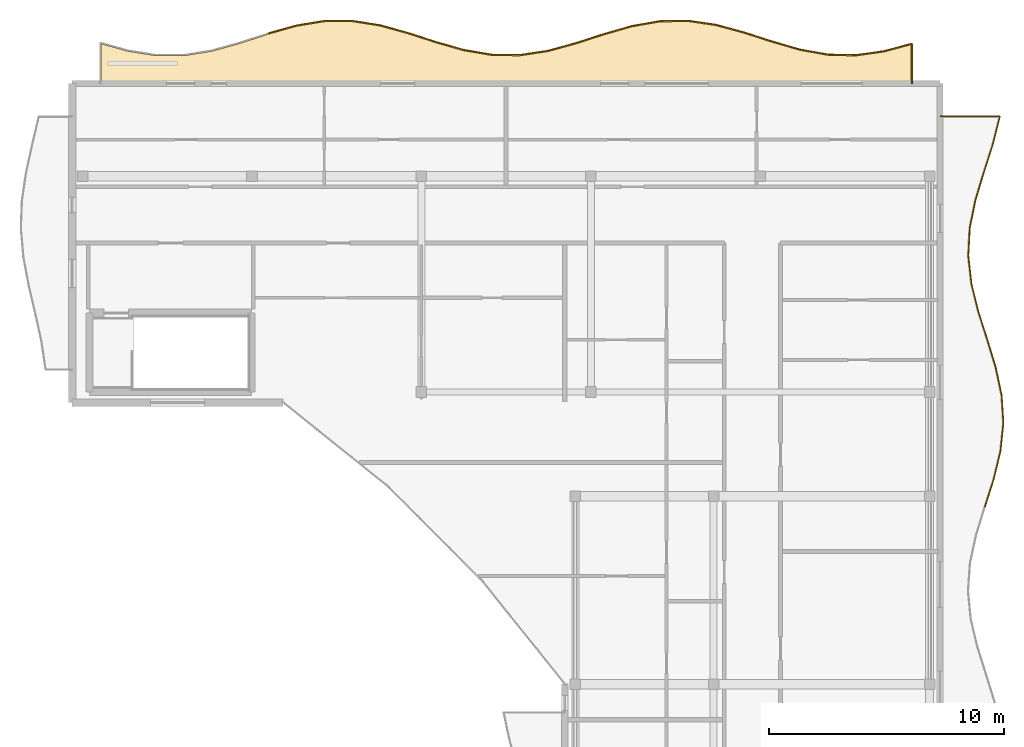
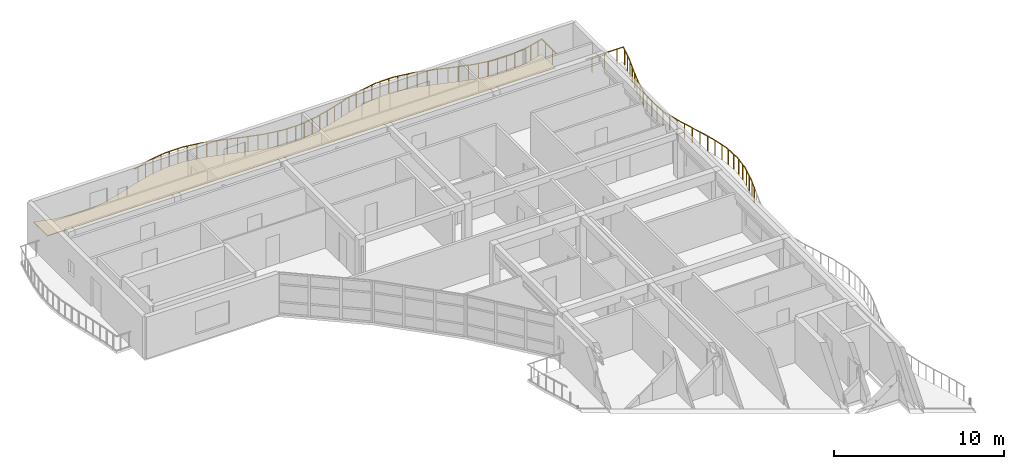
# One storey, part 14 of 14: 39 railings, 1 covering.
"""IFC4 building model written with IfcOpenShell, lengths in metres."""

from ifc_helpers import new_model, si_unit, direction, frame, origin, origin_2d, place, context, subcontext, project, spatial, polyline, circle, outline, extrude, material, layer, layer_set, type_object, element, save


model = new_model("IFC4")

# Units and contexts
model_context = context("Model", 3, precision=1e-05, world=origin(), true_north=direction((0.0, 1.0)))
body_context = subcontext(model_context, "Body", "Model", "MODEL_VIEW")
ifc_project = project(units=[si_unit("LENGTHUNIT", "METRE"), si_unit("AREAUNIT", "SQUARE_METRE"), si_unit("VOLUMEUNIT", "CUBIC_METRE"), si_unit("PLANEANGLEUNIT", "RADIAN"), si_unit("MASSUNIT", "GRAM", prefix="KILO")], contexts=[model_context])

# Site, building, storey
site_placement = place(None, origin())
site = spatial("IfcSite", under=ifc_project, at=site_placement, CompositionType="ELEMENT")
building_placement = place(site_placement, origin())
building = spatial("IfcBuilding", under=site, at=building_placement, Name="Keldmere Railside Commons", CompositionType="ELEMENT")
storey_placement = place(building_placement, frame((0.0, 0.0, 42.56005859375)))
storey = spatial("IfcBuildingStorey", under=building, at=storey_placement, Name="L13", CompositionType="ELEMENT", Elevation=42.56005859375)

# Railings
ifc_material_1 = material(Name="Steel F-24 (S235)", Category="steel")
railing_type = type_object("IfcRailingType", Name="Balcony & Terrace Steel Balustrade 1100", PredefinedType="BALUSTRADE", material=ifc_material_1)
railing_1_placement = place(storey_placement, frame((155.358642578125, 115.74072265625, 0.0)))
element("IfcRailing", 1, at=railing_1_placement, inside=storey, type_object=railing_type, Name="GR-1 GRD-L13-4659", PredefinedType="BALUSTRADE", context=body_context, shape_type="SweptSolid", body=[
    extrude(circle(Radius=0.02392578125, at=origin_2d()), frame((0.0, 0.0, 1.076171875), z_axis=(0.962623661614, 0.270842548541, 0.0), x_axis=(-0.270842548541, 0.962623661614, 0.0)), (0.0, 0.0, 1.0), 1.239501953125),
    extrude(circle(Radius=0.02099609375, at=origin_2d()), frame((0.29833984375, 0.083984375, 0.0)), (0.0, 0.0, 1.0), 1.048095703125),
    extrude(circle(Radius=0.02099609375, at=origin_2d()), frame((0.894775390625, 0.251708984375, 0.0)), (0.0, 0.0, 1.0), 1.048095703125),
])
railing_2_placement = place(storey_placement, frame((156.5517578125, 116.076416015625, 0.0)))
element("IfcRailing", 2, at=railing_2_placement, inside=storey, type_object=railing_type, Name="GR-1 GRD-L13-4660", PredefinedType="BALUSTRADE", context=body_context, shape_type="SweptSolid", body=[
    extrude(circle(Radius=0.02392578125, at=origin_2d()), frame((0.0, 0.0, 1.076171875), z_axis=(0.986800171093, 0.161942651364, 0.0), x_axis=(-0.161942651364, 0.986800171093, 0.0)), (0.0, 0.0, 1.0), 1.208984375),
    extrude(circle(Radius=0.02099609375, at=origin_2d()), frame((0.29833984375, 0.048828125, 0.0)), (0.0, 0.0, 1.0), 1.048095703125),
    extrude(circle(Radius=0.02099609375, at=origin_2d()), frame((0.894775390625, 0.14697265625, 0.0)), (0.0, 0.0, 1.0), 1.048095703125),
])
railing_3_placement = place(storey_placement, frame((157.744873046875, 116.272216796875, 0.0)))
element("IfcRailing", 3, at=railing_3_placement, inside=storey, type_object=railing_type, Name="GR-1 GRD-L13-4661", PredefinedType="BALUSTRADE", context=body_context, shape_type="SweptSolid", body=[
    extrude(circle(Radius=0.02392578125, at=origin_2d()), frame((0.0, 0.0, 1.076171875), z_axis=(0.999991625867, 0.004092456009, 0.0), x_axis=(-0.004092456009, 0.999991625867, 0.0)), (0.0, 0.0, 1.0), 1.193115234375),
    extrude(circle(Radius=0.02099609375, at=origin_2d()), frame((0.29833984375, 0.001220703125, 0.0)), (0.0, 0.0, 1.0), 1.048095703125),
    extrude(circle(Radius=0.02099609375, at=origin_2d()), frame((0.894775390625, 0.003662109375, 0.0)), (0.0, 0.0, 1.0), 1.048095703125),
])
railing_4_placement = place(storey_placement, frame((158.93798828125, 116.277099609375, 0.0)))
element("IfcRailing", 4, at=railing_4_placement, inside=storey, type_object=railing_type, Name="GR-1 GRD-L13-4662", PredefinedType="BALUSTRADE", context=body_context, shape_type="SweptSolid", body=[
    extrude(circle(Radius=0.02392578125, at=origin_2d()), frame((0.0, 0.0, 1.076171875), z_axis=(0.987813718795, -0.155640794654, 0.0), x_axis=(0.155640794654, 0.987813718795, 0.0)), (0.0, 0.0, 1.0), 1.207763671875),
    extrude(circle(Radius=0.02099609375, at=origin_2d()), frame((0.29833984375, -0.046875, 0.0)), (0.0, 0.0, 1.0), 1.048095703125),
    extrude(circle(Radius=0.02099609375, at=origin_2d()), frame((0.894775390625, -0.14111328125, 0.0)), (0.0, 0.0, 1.0), 1.048095703125),
])
railing_5_placement = place(storey_placement, frame((160.131103515625, 116.089111328125, 0.0)))
element("IfcRailing", 5, at=railing_5_placement, inside=storey, type_object=railing_type, Name="GR-1 GRD-L13-4663", PredefinedType="BALUSTRADE", context=body_context, shape_type="SweptSolid", body=[
    extrude(circle(Radius=0.02392578125, at=origin_2d()), frame((0.0, 0.0, 1.076171875), z_axis=(0.963644926184, -0.267186182726, 0.0), x_axis=(0.267186182726, 0.963644926184, 0.0)), (0.0, 0.0, 1.0), 1.238037109375),
    extrude(circle(Radius=0.02099609375, at=origin_2d()), frame((0.29833984375, -0.082763671875, 0.0)), (0.0, 0.0, 1.0), 1.048095703125),
    extrude(circle(Radius=0.02099609375, at=origin_2d()), frame((0.894775390625, -0.248046875, 0.0)), (0.0, 0.0, 1.0), 1.048095703125),
])
railing_6_placement = place(storey_placement, frame((161.32421875, 115.75830078125, 0.0)))
element("IfcRailing", 6, at=railing_6_placement, inside=storey, type_object=railing_type, Name="GR-1 GRD-L13-4664", PredefinedType="BALUSTRADE", context=body_context, shape_type="SweptSolid", body=[
    extrude(circle(Radius=0.02392578125, at=origin_2d()), frame((0.0, 0.0, 1.076171875), z_axis=(0.951431098789, -0.307861761602, 0.0), x_axis=(0.307861761602, 0.951431098789, 0.0)), (0.0, 0.0, 1.0), 1.253662109375),
    extrude(circle(Radius=0.02099609375, at=origin_2d()), frame((0.29833984375, -0.096435546875, 0.0)), (0.0, 0.0, 1.0), 1.048095703125),
    extrude(circle(Radius=0.02099609375, at=origin_2d()), frame((0.89453125, -0.28955078125, 0.0)), (0.0, 0.0, 1.0), 1.048095703125),
])
railing_7_placement = place(storey_placement, frame((162.51708984375, 115.372314453125, 0.0)))
element("IfcRailing", 7, at=railing_7_placement, inside=storey, type_object=railing_type, Name="GR-1 GRD-L13-4665", PredefinedType="BALUSTRADE", context=body_context, shape_type="SweptSolid", body=[
    extrude(circle(Radius=0.02392578125, at=origin_2d()), frame((0.0, 0.0, 1.076171875), z_axis=(0.96195358338, -0.273212926894, 0.0), x_axis=(0.273212926894, 0.96195358338, 0.0)), (0.0, 0.0, 1.0), 1.240234375),
    extrude(circle(Radius=0.02099609375, at=origin_2d()), frame((0.29833984375, -0.084716796875, 0.0)), (0.0, 0.0, 1.0), 1.048095703125),
    extrude(circle(Radius=0.02099609375, at=origin_2d()), frame((0.894775390625, -0.254150390625, 0.0)), (0.0, 0.0, 1.0), 1.048095703125),
])
railing_8_placement = place(storey_placement, frame((163.710205078125, 115.033447265625, 0.0)))
element("IfcRailing", 8, at=railing_8_placement, inside=storey, type_object=railing_type, Name="GR-1 GRD-L13-4666", PredefinedType="BALUSTRADE", context=body_context, shape_type="SweptSolid", body=[
    extrude(circle(Radius=0.02392578125, at=origin_2d()), frame((0.0, 0.0, 1.076171875), z_axis=(0.985948696805, -0.167048397985, 0.0), x_axis=(0.167048397985, 0.985948696805, 0.0)), (0.0, 0.0, 1.0), 1.210205078125),
    extrude(circle(Radius=0.02099609375, at=origin_2d()), frame((0.29833984375, -0.050537109375, 0.0)), (0.0, 0.0, 1.0), 1.048095703125),
    extrude(circle(Radius=0.02099609375, at=origin_2d()), frame((0.894775390625, -0.151611328125, 0.0)), (0.0, 0.0, 1.0), 1.048095703125),
])
railing_9_placement = place(storey_placement, frame((164.9033203125, 114.831298828125, 0.0)))
element("IfcRailing", 9, at=railing_9_placement, inside=storey, type_object=railing_type, Name="GR-1 GRD-L13-4667", PredefinedType="BALUSTRADE", context=body_context, shape_type="SweptSolid", body=[
    extrude(circle(Radius=0.02392578125, at=origin_2d()), frame((0.0, 0.0, 1.076171875), z_axis=(0.999953775395, -0.009614940148, 0.0), x_axis=(0.009614940148, 0.999953775395, 0.0)), (0.0, 0.0, 1.0), 1.193359375),
    extrude(circle(Radius=0.02099609375, at=origin_2d()), frame((0.29833984375, -0.0029296875, 0.0)), (0.0, 0.0, 1.0), 1.048095703125),
    extrude(circle(Radius=0.02099609375, at=origin_2d()), frame((0.89501953125, -0.008544921875, 0.0)), (0.0, 0.0, 1.0), 1.048095703125),
])
railing_10_placement = place(storey_placement, frame((166.0966796875, 114.81982421875, 0.0)))
element("IfcRailing", 10, at=railing_10_placement, inside=storey, type_object=railing_type, Name="GR-1 GRD-L13-4668", PredefinedType="BALUSTRADE", context=body_context, shape_type="SweptSolid", body=[
    extrude(circle(Radius=0.02392578125, at=origin_2d()), frame((0.0, 0.0, 1.076171875), z_axis=(0.988578905691, 0.150704171218, 0.0), x_axis=(-0.150704171218, 0.988578905691, 0.0)), (0.0, 0.0, 1.0), 1.206787109375),
    extrude(circle(Radius=0.02099609375, at=origin_2d()), frame((0.29833984375, 0.04541015625, 0.0)), (0.0, 0.0, 1.0), 1.048095703125),
    extrude(circle(Radius=0.02099609375, at=origin_2d()), frame((0.894775390625, 0.136474609375, 0.0)), (0.0, 0.0, 1.0), 1.048095703125),
])
railing_11_placement = place(storey_placement, frame((167.289794921875, 115.001708984375, 0.0)))
element("IfcRailing", 11, at=railing_11_placement, inside=storey, type_object=railing_type, Name="GR-1 GRD-L13-4669", PredefinedType="BALUSTRADE", context=body_context, shape_type="SweptSolid", body=[
    extrude(circle(Radius=0.02392578125, at=origin_2d()), frame((0.0, 0.0, 1.076171875), z_axis=(0.964453464, 0.264252749805, 0.0), x_axis=(-0.264252749805, 0.964453464, 0.0)), (0.0, 0.0, 1.0), 1.237060546875),
    extrude(circle(Radius=0.02099609375, at=origin_2d()), frame((0.29833984375, 0.081787109375, 0.0)), (0.0, 0.0, 1.0), 1.048095703125),
    extrude(circle(Radius=0.02099609375, at=origin_2d()), frame((0.894775390625, 0.2451171875, 0.0)), (0.0, 0.0, 1.0), 1.048095703125),
])
railing_12_placement = place(storey_placement, frame((168.48291015625, 115.32861328125, 0.0)))
element("IfcRailing", 12, at=railing_12_placement, inside=storey, type_object=railing_type, Name="GR-1 GRD-L13-4670", PredefinedType="BALUSTRADE", context=body_context, shape_type="SweptSolid", body=[
    extrude(circle(Radius=0.02392578125, at=origin_2d()), frame((0.0, 0.0, 1.076171875), z_axis=(0.951431098789, 0.307861761602, 0.0), x_axis=(-0.307861761602, 0.951431098789, 0.0)), (0.0, 0.0, 1.0), 1.253662109375),
    extrude(circle(Radius=0.02099609375, at=origin_2d()), frame((0.29833984375, 0.096435546875, 0.0)), (0.0, 0.0, 1.0), 1.048095703125),
    extrude(circle(Radius=0.02099609375, at=origin_2d()), frame((0.89453125, 0.28955078125, 0.0)), (0.0, 0.0, 1.0), 1.048095703125),
])
railing_13_placement = place(storey_placement, frame((169.67578125, 115.714599609375, 0.0)))
element("IfcRailing", 13, at=railing_13_placement, inside=storey, type_object=railing_type, Name="GR-1 GRD-L13-4671", PredefinedType="BALUSTRADE", context=body_context, shape_type="SweptSolid", body=[
    extrude(circle(Radius=0.02392578125, at=origin_2d()), frame((0.0, 0.0, 1.076171875), z_axis=(0.96127861681, 0.275578338889, 0.0), x_axis=(-0.275578338889, 0.96127861681, 0.0)), (0.0, 0.0, 1.0), 1.2412109375),
    extrude(circle(Radius=0.02099609375, at=origin_2d()), frame((0.29833984375, 0.08544921875, 0.0)), (0.0, 0.0, 1.0), 1.048095703125),
    extrude(circle(Radius=0.02099609375, at=origin_2d()), frame((0.894775390625, 0.256591796875, 0.0)), (0.0, 0.0, 1.0), 1.048095703125),
])
railing_14_placement = place(storey_placement, frame((170.868896484375, 116.056640625, 0.0)))
element("IfcRailing", 14, at=railing_14_placement, inside=storey, type_object=railing_type, Name="GR-1 GRD-L13-4672", PredefinedType="BALUSTRADE", context=body_context, shape_type="SweptSolid", body=[
    extrude(circle(Radius=0.02392578125, at=origin_2d()), frame((0.0, 0.0, 1.076171875), z_axis=(0.985140653472, 0.171749506192, 0.0), x_axis=(-0.171749506192, 0.985140653472, 0.0)), (0.0, 0.0, 1.0), 1.211181640625),
    extrude(circle(Radius=0.02099609375, at=origin_2d()), frame((0.29833984375, 0.052001953125, 0.0)), (0.0, 0.0, 1.0), 1.048095703125),
    extrude(circle(Radius=0.02099609375, at=origin_2d()), frame((0.894775390625, 0.156005859375, 0.0)), (0.0, 0.0, 1.0), 1.048095703125),
])
railing_15_placement = place(storey_placement, frame((172.06201171875, 116.2646484375, 0.0)))
element("IfcRailing", 15, at=railing_15_placement, inside=storey, type_object=railing_type, Name="GR-1 GRD-L13-4673", PredefinedType="BALUSTRADE", context=body_context, shape_type="SweptSolid", body=[
    extrude(circle(Radius=0.02392578125, at=origin_2d()), frame((0.0, 0.0, 1.076171875), z_axis=(0.999879097928, 0.015549582861, 0.0), x_axis=(-0.015549582861, 0.999879097928, 0.0)), (0.0, 0.0, 1.0), 1.193359375),
    extrude(circle(Radius=0.02099609375, at=origin_2d()), frame((0.29833984375, 0.004638671875, 0.0)), (0.0, 0.0, 1.0), 1.048095703125),
    extrude(circle(Radius=0.02099609375, at=origin_2d()), frame((0.894775390625, 0.013916015625, 0.0)), (0.0, 0.0, 1.0), 1.048095703125),
])
railing_16_placement = place(storey_placement, frame((173.255126953125, 116.283203125, 0.0)))
element("IfcRailing", 16, at=railing_16_placement, inside=storey, type_object=railing_type, Name="GR-1 GRD-L13-4674", PredefinedType="BALUSTRADE", context=body_context, shape_type="SweptSolid", body=[
    extrude(circle(Radius=0.02392578125, at=origin_2d()), frame((0.0, 0.0, 1.076171875), z_axis=(0.989349705272, -0.145558100694, 0.0), x_axis=(0.145558100694, 0.989349705272, 0.0)), (0.0, 0.0, 1.0), 1.2060546875),
    extrude(circle(Radius=0.02099609375, at=origin_2d()), frame((0.29833984375, -0.0439453125, 0.0)), (0.0, 0.0, 1.0), 1.048095703125),
    extrude(circle(Radius=0.02099609375, at=origin_2d()), frame((0.894775390625, -0.131591796875, 0.0)), (0.0, 0.0, 1.0), 1.048095703125),
])
railing_17_placement = place(storey_placement, frame((174.4482421875, 116.107666015625, 0.0)))
element("IfcRailing", 17, at=railing_17_placement, inside=storey, type_object=railing_type, Name="GR-1 GRD-L13-4675", PredefinedType="BALUSTRADE", context=body_context, shape_type="SweptSolid", body=[
    extrude(circle(Radius=0.02392578125, at=origin_2d()), frame((0.0, 0.0, 1.076171875), z_axis=(0.965154701068, -0.261679962945, 0.0), x_axis=(0.261679962945, 0.965154701068, 0.0)), (0.0, 0.0, 1.0), 1.236083984375),
    extrude(circle(Radius=0.02099609375, at=origin_2d()), frame((0.29833984375, -0.080810546875, 0.0)), (0.0, 0.0, 1.0), 1.048095703125),
    extrude(circle(Radius=0.02099609375, at=origin_2d()), frame((0.894775390625, -0.24267578125, 0.0)), (0.0, 0.0, 1.0), 1.048095703125),
])
railing_18_placement = place(storey_placement, frame((175.641357421875, 115.7841796875, 0.0)))
element("IfcRailing", 18, at=railing_18_placement, inside=storey, type_object=railing_type, Name="GR-1 GRD-L13-4676", PredefinedType="BALUSTRADE", context=body_context, shape_type="SweptSolid", body=[
    extrude(circle(Radius=0.02392578125, at=origin_2d()), frame((0.0, 0.0, 1.076171875), z_axis=(0.951563531952, -0.30745218272, 0.0), x_axis=(0.30745218272, 0.951563531952, 0.0)), (0.0, 0.0, 1.0), 1.25390625),
    extrude(circle(Radius=0.02099609375, at=origin_2d()), frame((0.29833984375, -0.096435546875, 0.0)), (0.0, 0.0, 1.0), 1.048095703125),
    extrude(circle(Radius=0.02099609375, at=origin_2d()), frame((0.894775390625, -0.2890625, 0.0)), (0.0, 0.0, 1.0), 1.048095703125),
])
railing_19_placement = place(storey_placement, frame((176.83447265625, 115.398681640625, 0.0)))
element("IfcRailing", 19, at=railing_19_placement, inside=storey, type_object=railing_type, Name="GR-1 GRD-L13-4677", PredefinedType="BALUSTRADE", context=body_context, shape_type="SweptSolid", body=[
    extrude(circle(Radius=0.02392578125, at=origin_2d()), frame((0.0, 0.0, 1.076171875), z_axis=(0.960598796663, -0.277938755572, 0.0), x_axis=(0.277938755572, 0.960598796663, 0.0)), (0.0, 0.0, 1.0), 1.241943359375),
    extrude(circle(Radius=0.02099609375, at=origin_2d()), frame((0.29833984375, -0.08642578125, 0.0)), (0.0, 0.0, 1.0), 1.048095703125),
    extrude(circle(Radius=0.02099609375, at=origin_2d()), frame((0.894775390625, -0.2587890625, 0.0)), (0.0, 0.0, 1.0), 1.048095703125),
])
railing_20_placement = place(storey_placement, frame((178.027587890625, 115.053466796875, 0.0)))
element("IfcRailing", 20, at=railing_20_placement, inside=storey, type_object=railing_type, Name="GR-1 GRD-L13-4678", PredefinedType="BALUSTRADE", context=body_context, shape_type="SweptSolid", body=[
    extrude(circle(Radius=0.02392578125, at=origin_2d()), frame((0.0, 0.0, 1.076171875), z_axis=(0.984311592389, -0.176438910361, 0.0), x_axis=(0.176438910361, 0.984311592389, 0.0)), (0.0, 0.0, 1.0), 1.212158203125),
    extrude(circle(Radius=0.02099609375, at=origin_2d()), frame((0.29833984375, -0.053466796875, 0.0)), (0.0, 0.0, 1.0), 1.048095703125),
    extrude(circle(Radius=0.02099609375, at=origin_2d()), frame((0.894775390625, -0.160400390625, 0.0)), (0.0, 0.0, 1.0), 1.048095703125),
])
railing_21_placement = place(storey_placement, frame((179.220703125, 114.839599609375, 0.0)))
element("IfcRailing", 21, at=railing_21_placement, inside=storey, type_object=railing_type, Name="GR-1 GRD-L13-4679", PredefinedType="BALUSTRADE", context=body_context, shape_type="SweptSolid", body=[
    extrude(circle(Radius=0.02392578125, at=origin_2d()), frame((0.0, 0.0, 1.076171875), z_axis=(0.999773637478, -0.021276132248, 0.0), x_axis=(0.021276132248, 0.999773637478, 0.0)), (0.0, 0.0, 1.0), 1.193359375),
    extrude(circle(Radius=0.02099609375, at=origin_2d()), frame((0.29833984375, -0.00634765625, 0.0)), (0.0, 0.0, 1.0), 1.048095703125),
    extrude(circle(Radius=0.02099609375, at=origin_2d()), frame((0.894775390625, -0.01904296875, 0.0)), (0.0, 0.0, 1.0), 1.048095703125),
])
railing_22_placement = place(storey_placement, frame((180.413818359375, 114.814208984375, 0.0)))
element("IfcRailing", 22, at=railing_22_placement, inside=storey, type_object=railing_type, Name="GR-1 GRD-L13-4680", PredefinedType="BALUSTRADE", context=body_context, shape_type="SweptSolid", body=[
    extrude(circle(Radius=0.02392578125, at=origin_2d()), frame((0.0, 0.0, 1.076171875), z_axis=(0.99009483738, 0.140400188726, 0.0), x_axis=(-0.140400188726, 0.99009483738, 0.0)), (0.0, 0.0, 1.0), 1.205078125),
    extrude(circle(Radius=0.02099609375, at=origin_2d()), frame((0.29833984375, 0.042236328125, 0.0)), (0.0, 0.0, 1.0), 1.048095703125),
    extrude(circle(Radius=0.02099609375, at=origin_2d()), frame((0.894775390625, 0.126953125, 0.0)), (0.0, 0.0, 1.0), 1.048095703125),
])
railing_23_placement = place(storey_placement, frame((181.60693359375, 114.9833984375, 0.0)))
element("IfcRailing", 23, at=railing_23_placement, inside=storey, type_object=railing_type, Name="GR-1 GRD-L13-4681", PredefinedType="BALUSTRADE", context=body_context, shape_type="SweptSolid", body=[
    extrude(circle(Radius=0.02392578125, at=origin_2d()), frame((0.0, 0.0, 1.076171875), z_axis=(0.965948933632, 0.258732791922, 0.0), x_axis=(-0.258732791922, 0.965948933632, 0.0)), (0.0, 0.0, 1.0), 1.235107421875),
    extrude(circle(Radius=0.02099609375, at=origin_2d()), frame((0.29833984375, 0.079833984375, 0.0)), (0.0, 0.0, 1.0), 1.048095703125),
    extrude(circle(Radius=0.02099609375, at=origin_2d()), frame((0.894775390625, 0.23974609375, 0.0)), (0.0, 0.0, 1.0), 1.048095703125),
])
railing_24_placement = place(storey_placement, frame((182.800048828125, 115.302978515625, 0.0)))
element("IfcRailing", 24, at=railing_24_placement, inside=storey, type_object=railing_type, Name="GR-1 GRD-L13-4682", PredefinedType="BALUSTRADE", context=body_context, shape_type="SweptSolid", body=[
    extrude(circle(Radius=0.02392578125, at=origin_2d()), frame((0.0, 0.0, 1.076171875), z_axis=(0.0, -1.0, 0.0), x_axis=(1.0, 0.0, 0.0)), (0.0, 0.0, 1.0), 1.702880859375),
    extrude(circle(Radius=0.02099609375, at=origin_2d()), frame((0.0, -0.42578125, 0.0)), (0.0, 0.0, 1.0), 1.048095703125),
    extrude(circle(Radius=0.02099609375, at=origin_2d()), frame((0.0, -1.277099609375, 0.0)), (0.0, 0.0, 1.0), 1.048095703125),
])
railing_25_placement = place(storey_placement, frame((185.908935546875, 95.543701171875, 0.0)))
element("IfcRailing", 25, at=railing_25_placement, inside=storey, type_object=railing_type, Name="GR-1 GRD-L13-4728", PredefinedType="BALUSTRADE", context=body_context, shape_type="SweptSolid", body=[
    extrude(circle(Radius=0.02392578125, at=origin_2d()), frame((0.0, 0.0, 1.076171875), z_axis=(0.302048755694, 0.9532924783, 0.0), x_axis=(-0.9532924783, 0.302048755694, 0.0)), (0.0, 0.0, 1.0), 1.248046875),
    extrude(circle(Radius=0.02099609375, at=origin_2d()), frame((0.09423828125, 0.29736328125, 0.0)), (0.0, 0.0, 1.0), 1.048095703125),
    extrude(circle(Radius=0.02099609375, at=origin_2d()), frame((0.28271484375, 0.892333984375, 0.0)), (0.0, 0.0, 1.0), 1.048095703125),
])
railing_26_placement = place(storey_placement, frame((186.285888671875, 96.7333984375, 0.0)))
element("IfcRailing", 26, at=railing_26_placement, inside=storey, type_object=railing_type, Name="GR-1 GRD-L13-4729", PredefinedType="BALUSTRADE", context=body_context, shape_type="SweptSolid", body=[
    extrude(circle(Radius=0.02392578125, at=origin_2d()), frame((0.0, 0.0, 1.076171875), z_axis=(0.235725596745, 0.971819655615, 0.0), x_axis=(-0.971819655615, 0.235725596745, 0.0)), (0.0, 0.0, 1.0), 1.22412109375),
    extrude(circle(Radius=0.02099609375, at=origin_2d()), frame((0.072265625, 0.29736328125, 0.0)), (0.0, 0.0, 1.0), 1.048095703125),
    extrude(circle(Radius=0.02099609375, at=origin_2d()), frame((0.21630859375, 0.892333984375, 0.0)), (0.0, 0.0, 1.0), 1.048095703125),
])
railing_27_placement = place(storey_placement, frame((186.574462890625, 97.923095703125, 0.0)))
element("IfcRailing", 27, at=railing_27_placement, inside=storey, type_object=railing_type, Name="GR-1 GRD-L13-4730", PredefinedType="BALUSTRADE", context=body_context, shape_type="SweptSolid", body=[
    extrude(circle(Radius=0.02392578125, at=origin_2d()), frame((0.0, 0.0, 1.076171875), z_axis=(0.10348409035, 0.994631109027, 0.0), x_axis=(-0.994631109027, 0.10348409035, 0.0)), (0.0, 0.0, 1.0), 1.196044921875),
    extrude(circle(Radius=0.02099609375, at=origin_2d()), frame((0.031005859375, 0.29736328125, 0.0)), (0.0, 0.0, 1.0), 1.048095703125),
    extrude(circle(Radius=0.02099609375, at=origin_2d()), frame((0.0927734375, 0.892333984375, 0.0)), (0.0, 0.0, 1.0), 1.048095703125),
])
railing_28_placement = place(storey_placement, frame((186.6982421875, 99.11279296875, 0.0)))
element("IfcRailing", 28, at=railing_28_placement, inside=storey, type_object=railing_type, Name="GR-1 GRD-L13-4731", PredefinedType="BALUSTRADE", context=body_context, shape_type="SweptSolid", body=[
    extrude(circle(Radius=0.02392578125, at=origin_2d()), frame((0.0, 0.0, 1.076171875), z_axis=(-0.061447382975, 0.998110324125, 0.0), x_axis=(-0.998110324125, -0.061447382975, 0.0)), (0.0, 0.0, 1.0), 1.19189453125),
    extrude(circle(Radius=0.02099609375, at=origin_2d()), frame((-0.018310546875, 0.29736328125, 0.0)), (0.0, 0.0, 1.0), 1.048095703125),
    extrude(circle(Radius=0.02099609375, at=origin_2d()), frame((-0.054931640625, 0.892333984375, 0.0)), (0.0, 0.0, 1.0), 1.048095703125),
])
railing_29_placement = place(storey_placement, frame((186.625, 100.302490234375, 0.0)))
element("IfcRailing", 29, at=railing_29_placement, inside=storey, type_object=railing_type, Name="GR-1 GRD-L13-4732", PredefinedType="BALUSTRADE", context=body_context, shape_type="SweptSolid", body=[
    extrude(circle(Radius=0.02392578125, at=origin_2d()), frame((0.0, 0.0, 1.076171875), z_axis=(-0.206607470995, 0.978423912693, 0.0), x_axis=(-0.978423912693, -0.206607470995, 0.0)), (0.0, 0.0, 1.0), 1.2158203125),
    extrude(circle(Radius=0.02099609375, at=origin_2d()), frame((-0.062744140625, 0.29736328125, 0.0)), (0.0, 0.0, 1.0), 1.048095703125),
    extrude(circle(Radius=0.02099609375, at=origin_2d()), frame((-0.1884765625, 0.892333984375, 0.0)), (0.0, 0.0, 1.0), 1.048095703125),
])
railing_30_placement = place(storey_placement, frame((186.373779296875, 101.4921875, 0.0)))
element("IfcRailing", 30, at=railing_30_placement, inside=storey, type_object=railing_type, Name="GR-1 GRD-L13-4733", PredefinedType="BALUSTRADE", context=body_context, shape_type="SweptSolid", body=[
    extrude(circle(Radius=0.02392578125, at=origin_2d()), frame((0.0, 0.0, 1.076171875), z_axis=(-0.291630140466, 0.956531160586, 0.0), x_axis=(-0.956531160586, -0.291630140466, 0.0)), (0.0, 0.0, 1.0), 1.243896484375),
    extrude(circle(Radius=0.02099609375, at=origin_2d()), frame((-0.0908203125, 0.29736328125, 0.0)), (0.0, 0.0, 1.0), 1.048095703125),
    extrude(circle(Radius=0.02099609375, at=origin_2d()), frame((-0.27197265625, 0.892578125, 0.0)), (0.0, 0.0, 1.0), 1.048095703125),
])
railing_31_placement = place(storey_placement, frame((186.010986328125, 102.68212890625, 0.0)))
element("IfcRailing", 31, at=railing_31_placement, inside=storey, type_object=railing_type, Name="GR-1 GRD-L13-4734", PredefinedType="BALUSTRADE", context=body_context, shape_type="SweptSolid", body=[
    extrude(circle(Radius=0.02392578125, at=origin_2d()), frame((0.0, 0.0, 1.076171875), z_axis=(-0.303469983619, 0.952840998825, 0.0), x_axis=(-0.952840998825, -0.303469983619, 0.0)), (0.0, 0.0, 1.0), 1.24853515625),
    extrude(circle(Radius=0.02099609375, at=origin_2d()), frame((-0.0947265625, 0.29736328125, 0.0)), (0.0, 0.0, 1.0), 1.048095703125),
    extrude(circle(Radius=0.02099609375, at=origin_2d()), frame((-0.2841796875, 0.892333984375, 0.0)), (0.0, 0.0, 1.0), 1.048095703125),
])
railing_32_placement = place(storey_placement, frame((185.632080078125, 103.871826171875, 0.0)))
element("IfcRailing", 32, at=railing_32_placement, inside=storey, type_object=railing_type, Name="GR-1 GRD-L13-4735", PredefinedType="BALUSTRADE", context=body_context, shape_type="SweptSolid", body=[
    extrude(circle(Radius=0.02392578125, at=origin_2d()), frame((0.0, 0.0, 1.076171875), z_axis=(-0.240801253033, 0.970574446675, 0.0), x_axis=(-0.970574446675, -0.240801253033, 0.0)), (0.0, 0.0, 1.0), 1.225830078125),
    extrude(circle(Radius=0.02099609375, at=origin_2d()), frame((-0.07373046875, 0.29736328125, 0.0)), (0.0, 0.0, 1.0), 1.048095703125),
    extrude(circle(Radius=0.02099609375, at=origin_2d()), frame((-0.221435546875, 0.892333984375, 0.0)), (0.0, 0.0, 1.0), 1.048095703125),
])
railing_33_placement = place(storey_placement, frame((185.3369140625, 105.0615234375, 0.0)))
element("IfcRailing", 33, at=railing_33_placement, inside=storey, type_object=railing_type, Name="GR-1 GRD-L13-4736", PredefinedType="BALUSTRADE", context=body_context, shape_type="SweptSolid", body=[
    extrude(circle(Radius=0.02392578125, at=origin_2d()), frame((0.0, 0.0, 1.076171875), z_axis=(-0.111550592972, 0.993758756041, 0.0), x_axis=(-0.993758756041, -0.111550592972, 0.0)), (0.0, 0.0, 1.0), 1.197265625),
    extrude(circle(Radius=0.02099609375, at=origin_2d()), frame((-0.033447265625, 0.29736328125, 0.0)), (0.0, 0.0, 1.0), 1.048095703125),
    extrude(circle(Radius=0.02099609375, at=origin_2d()), frame((-0.10009765625, 0.892333984375, 0.0)), (0.0, 0.0, 1.0), 1.048095703125),
])
railing_34_placement = place(storey_placement, frame((185.203369140625, 106.251220703125, 0.0)))
element("IfcRailing", 34, at=railing_34_placement, inside=storey, type_object=railing_type, Name="GR-1 GRD-L13-4737", PredefinedType="BALUSTRADE", context=body_context, shape_type="SweptSolid", body=[
    extrude(circle(Radius=0.02392578125, at=origin_2d()), frame((0.0, 0.0, 1.076171875), z_axis=(0.053075096583, 0.99859052375, 0.0), x_axis=(-0.99859052375, 0.053075096583, 0.0)), (0.0, 0.0, 1.0), 1.19140625),
    extrude(circle(Radius=0.02099609375, at=origin_2d()), frame((0.015869140625, 0.29736328125, 0.0)), (0.0, 0.0, 1.0), 1.048095703125),
    extrude(circle(Radius=0.02099609375, at=origin_2d()), frame((0.04736328125, 0.892333984375, 0.0)), (0.0, 0.0, 1.0), 1.048095703125),
])
railing_35_placement = place(storey_placement, frame((185.2666015625, 107.44091796875, 0.0)))
element("IfcRailing", 35, at=railing_35_placement, inside=storey, type_object=railing_type, Name="GR-1 GRD-L13-4738", PredefinedType="BALUSTRADE", context=body_context, shape_type="SweptSolid", body=[
    extrude(circle(Radius=0.02392578125, at=origin_2d()), frame((0.0, 0.0, 1.076171875), z_axis=(0.200212059184, 0.979752586808, 0.0), x_axis=(-0.979752586808, 0.200212059184, 0.0)), (0.0, 0.0, 1.0), 1.214599609375),
    extrude(circle(Radius=0.02099609375, at=origin_2d()), frame((0.060791015625, 0.29736328125, 0.0)), (0.0, 0.0, 1.0), 1.048095703125),
    extrude(circle(Radius=0.02099609375, at=origin_2d()), frame((0.182373046875, 0.892578125, 0.0)), (0.0, 0.0, 1.0), 1.048095703125),
])
railing_36_placement = place(storey_placement, frame((185.509765625, 108.630859375, 0.0)))
element("IfcRailing", 36, at=railing_36_placement, inside=storey, type_object=railing_type, Name="GR-1 GRD-L13-4739", PredefinedType="BALUSTRADE", context=body_context, shape_type="SweptSolid", body=[
    extrude(circle(Radius=0.02392578125, at=origin_2d()), frame((0.0, 0.0, 1.076171875), z_axis=(0.288987606249, 0.957332838377, 0.0), x_axis=(-0.957332838377, 0.288987606249, 0.0)), (0.0, 0.0, 1.0), 1.24267578125),
    extrude(circle(Radius=0.02099609375, at=origin_2d()), frame((0.08984375, 0.29736328125, 0.0)), (0.0, 0.0, 1.0), 1.048095703125),
    extrude(circle(Radius=0.02099609375, at=origin_2d()), frame((0.269287109375, 0.892333984375, 0.0)), (0.0, 0.0, 1.0), 1.048095703125),
])
railing_37_placement = place(storey_placement, frame((185.868896484375, 109.820556640625, 0.0)))
element("IfcRailing", 37, at=railing_37_placement, inside=storey, type_object=railing_type, Name="GR-1 GRD-L13-4740", PredefinedType="BALUSTRADE", context=body_context, shape_type="SweptSolid", body=[
    extrude(circle(Radius=0.02392578125, at=origin_2d()), frame((0.0, 0.0, 1.076171875), z_axis=(0.304711899102, 0.952444569802, 0.0), x_axis=(-0.952444569802, 0.304711899102, 0.0)), (0.0, 0.0, 1.0), 1.2490234375),
    extrude(circle(Radius=0.02099609375, at=origin_2d()), frame((0.09521484375, 0.29736328125, 0.0)), (0.0, 0.0, 1.0), 1.048095703125),
    extrude(circle(Radius=0.02099609375, at=origin_2d()), frame((0.285400390625, 0.892333984375, 0.0)), (0.0, 0.0, 1.0), 1.048095703125),
])
railing_38_placement = place(storey_placement, frame((186.24951171875, 111.01025390625, 0.0)))
element("IfcRailing", 38, at=railing_38_placement, inside=storey, type_object=railing_type, Name="GR-1 GRD-L13-4741", PredefinedType="BALUSTRADE", context=body_context, shape_type="SweptSolid", body=[
    extrude(circle(Radius=0.02392578125, at=origin_2d()), frame((0.0, 0.0, 1.076171875), z_axis=(0.245857229709, 0.96930605208, 0.0), x_axis=(-0.96930605208, 0.245857229709, 0.0)), (0.0, 0.0, 1.0), 1.227294921875),
    extrude(circle(Radius=0.02099609375, at=origin_2d()), frame((0.075439453125, 0.29736328125, 0.0)), (0.0, 0.0, 1.0), 1.048095703125),
    extrude(circle(Radius=0.02099609375, at=origin_2d()), frame((0.226318359375, 0.892333984375, 0.0)), (0.0, 0.0, 1.0), 1.048095703125),
])
railing_39_placement = place(storey_placement, frame((186.55126953125, 112.199951171875, 0.0)))
element("IfcRailing", 39, at=railing_39_placement, inside=storey, type_object=railing_type, Name="GR-1 GRD-L13-4742", PredefinedType="BALUSTRADE", context=body_context, shape_type="SweptSolid", body=[
    extrude(circle(Radius=0.02392578125, at=origin_2d()), frame((0.0, 0.0, 1.076171875), z_axis=(-1.0, 0.0, 0.0), x_axis=(0.0, -1.0, 0.0)), (0.0, 0.0, 1.0), 2.55126953125),
    extrude(circle(Radius=0.02099609375, at=origin_2d()), frame((-0.42529296875, 0.0, 0.0)), (0.0, 0.0, 1.0), 1.048095703125),
    extrude(circle(Radius=0.02099609375, at=origin_2d()), frame((-1.275634765625, 0.0, 0.0)), (0.0, 0.0, 1.0), 1.048095703125),
    extrude(circle(Radius=0.02099609375, at=origin_2d()), frame((-2.1259765625, 0.0, 0.0)), (0.0, 0.0, 1.0), 1.048095703125),
])

# Covering
ifc_material_2 = material(Name="White Precast Concrete C35/45", Category="concrete")
ifc_layer = layer(ifc_material_2, 0.044921875, Name="White Architectural Balcony Ribbon Cladding 45")
ifc_layer_set = layer_set([ifc_layer], Name="White Precast Concrete C35/45")
covering_type = type_object("IfcCoveringType", Name="White Architectural Balcony Ribbon Cladding 45", PredefinedType="FLOORING", material=ifc_layer_set)
covering_placement = place(storey_placement, origin())
element("IfcCovering", 40, at=covering_placement, inside=storey, type_object=covering_type, Name="CLG-WB A L13 N White Balcony Ribbon", PredefinedType="FLOORING", context=body_context, shape_type="SweptSolid", body=[
    extrude(outline(polyline([(182.760009765625, 113.639892578125), (182.760009765625, 115.2509765625), (181.6171875, 114.94482421875), (181.612548828125, 114.94384765625), (180.41943359375, 114.7744140625), (180.416259765625, 114.774169921875), (180.412841796875, 114.774169921875), (179.2197265625, 114.799560546875), (179.216796875, 114.7998046875), (179.213623046875, 114.80029296875), (178.0205078125, 115.013916015625), (178.0166015625, 115.014892578125), (176.823486328125, 115.3603515625), (176.822265625, 115.360595703125), (175.6298828125, 115.745849609375), (174.440185546875, 116.068359375), (173.252685546875, 116.2431640625), (172.06591796875, 116.224609375), (170.8779296875, 116.017578125), (169.6875, 115.67626953125), (168.4951171875, 115.29052734375), (168.493408203125, 115.2900390625), (167.30029296875, 114.962890625), (167.295654296875, 114.962158203125), (166.1025390625, 114.7802734375), (166.099365234375, 114.77978515625), (166.09619140625, 114.77978515625), (164.903076171875, 114.79150390625), (164.89990234375, 114.79150390625), (164.896728515625, 114.7919921875), (163.70361328125, 114.994140625), (163.699462890625, 114.9951171875), (162.50634765625, 115.333984375), (162.5048828125, 115.334228515625), (161.3125, 115.719970703125), (160.12255859375, 116.0498046875), (158.934814453125, 116.237060546875), (157.748046875, 116.232421875), (156.560302734375, 116.037109375), (155.3701171875, 115.702392578125), (154.177734375, 115.316650390625), (154.17626953125, 115.316162109375), (152.983154296875, 114.98193359375), (152.978759765625, 114.98095703125), (151.78564453125, 114.786865234375), (151.78271484375, 114.78662109375), (151.779296875, 114.786376953125), (150.586181640625, 114.7841796875), (150.5830078125, 114.7841796875), (150.579833984375, 114.78466796875), (149.38671875, 114.974609375), (149.38232421875, 114.9755859375), (148.239990234375, 115.29345703125), (148.239990234375, 113.639892578125), (182.760009765625, 113.639892578125)])), origin(), (0.0, 0.0, 1.0), 0.044921875),
])

save(model, "model.ifc")
